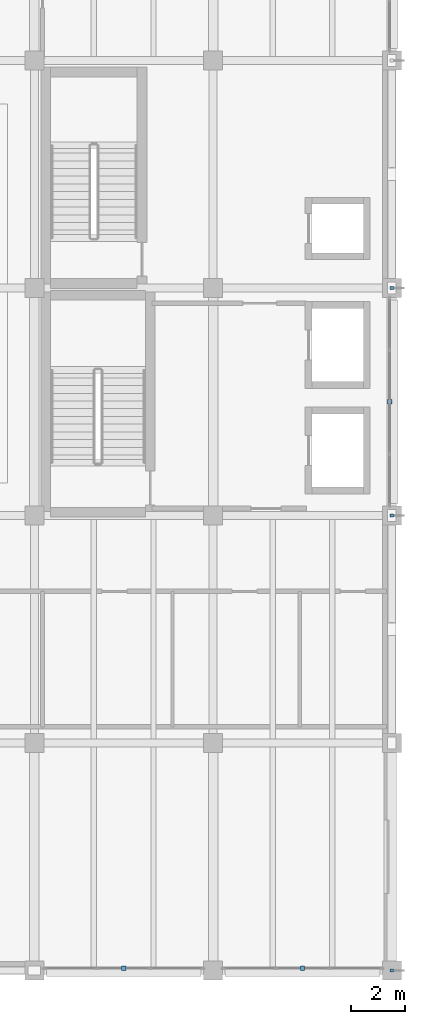
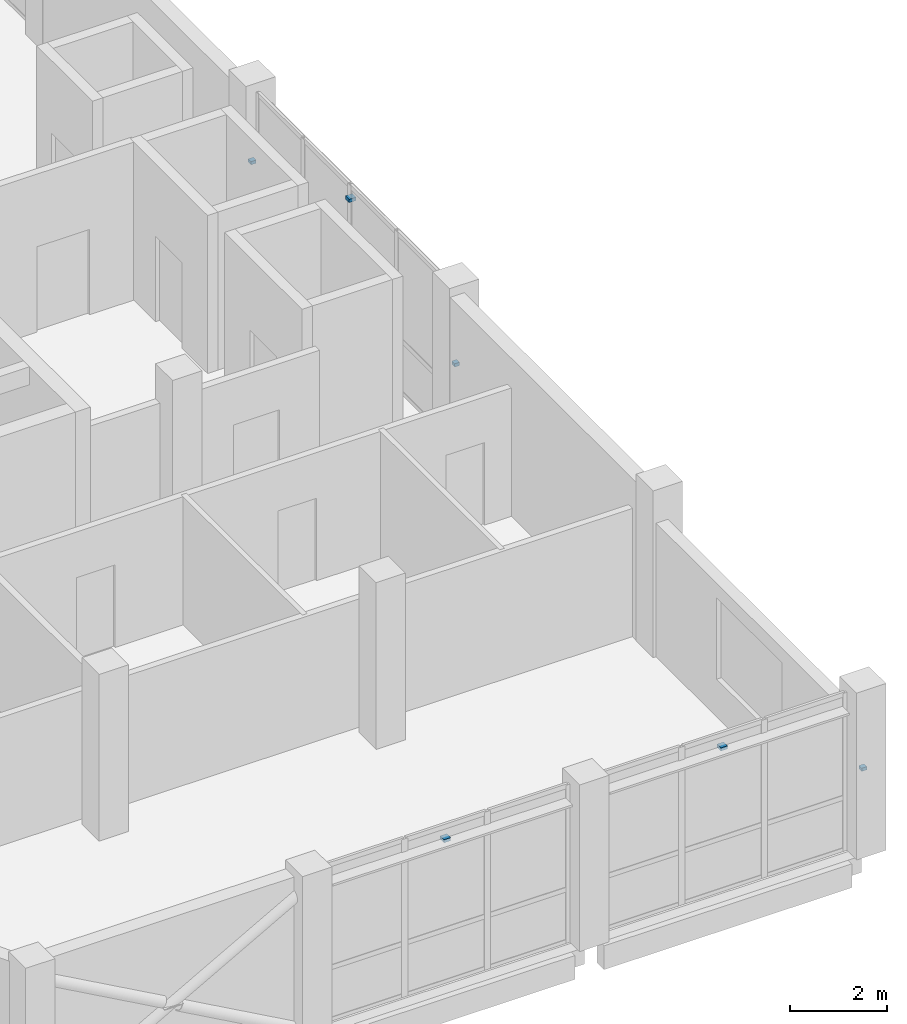
# One storey, part 15 of 19: 6 discrete accessories.
"""IFC4 building model written with IfcOpenShell, lengths in metres."""

from ifc_helpers import new_model, si_unit, direction, frame, origin, origin_2d, place, context, subcontext, project, spatial, rectangle, extrude, material, layer, layer_set, type_object, element, save


model = new_model("IFC4")

# Units and contexts
model_context = context("Model", 3, precision=1e-05, world=origin(), true_north=direction((0.0, 1.0)))
body_context = subcontext(model_context, "Body", "Model", "MODEL_VIEW")
ifc_project = project(units=[si_unit("LENGTHUNIT", "METRE"), si_unit("AREAUNIT", "SQUARE_METRE"), si_unit("VOLUMEUNIT", "CUBIC_METRE"), si_unit("PLANEANGLEUNIT", "RADIAN"), si_unit("MASSUNIT", "GRAM", prefix="KILO")], contexts=[model_context])

# Site, building, storey
site_placement = place(None, origin())
site = spatial("IfcSite", under=ifc_project, at=site_placement, CompositionType="ELEMENT")
building_placement = place(site_placement, origin())
building = spatial("IfcBuilding", under=site, at=building_placement, Name="Qaldarim Faculty of Natural and Applied Sciences", CompositionType="ELEMENT")
storey_placement = place(building_placement, frame((0.0, 0.0, 27.0)))
storey = spatial("IfcBuildingStorey", under=building, at=storey_placement, Name="L06", CompositionType="ELEMENT", Elevation=27.0)

# Discrete accessories
ifc_material = material(Name="Architectural stainless steel 316", Category="steel")
ifc_layer = layer(ifc_material, 0.080078125)
ifc_layer_set = layer_set([ifc_layer], Name="Architectural stainless steel 316")
discrete_accessory_type = type_object("IfcDiscreteAccessoryType", Name="FacadeBracket-SS120", PredefinedType="BRACKET", material=ifc_layer_set)
for number, where, z_axis, x_axis, name in (
    (1, (168.300048828125, 0.080078125, 3.58984375), (0.0, 0.0, 1.0), (1.0, 0.0, 0.0), "Solar louvre support bracket SHD-L06-S-X26Y01"),
    (2, (174.89990234375, 0.080078125, 3.58984375), (0.0, 0.0, 1.0), (1.0, 0.0, 0.0), "Solar louvre support bracket SHD-L06-S-X27Y01"),
    (3, (178.1201171875, 21.0, 3.58984375), (0.0, 0.0, 1.0), (0.0, 1.0, 0.0), "Solar louvre support bracket SHD-L06-E-X27Y03"),
):
    element("IfcDiscreteAccessory", number, at=place(storey_placement, frame(where, z_axis=z_axis, x_axis=x_axis)), inside=storey, type_object=discrete_accessory_type, Name=name, PredefinedType="BRACKET", context=body_context, shape_type="SweptSolid", body=[
        extrude(rectangle(XDim=0.159912109375, YDim=0.159912109375, at=origin_2d()), origin(), (0.0, 0.0, 1.0), 0.080078125),
    ])
for number, where, z_axis, x_axis, name in (
    (4, (178.199951171875, 0.0, 1.949951171875), (0.0, 0.0, 1.0), (1.0, 0.0, 0.0), "Tower fin bracket FIN-V5E-L06-Y01"),
    (5, (178.199951171875, 16.800048828125, 1.949951171875), (0.0, 0.0, 1.0), (1.0, 0.0, 0.0), "Tower fin bracket FIN-V5E-L06-Y03"),
    (6, (178.199951171875, 25.199951171875, 1.949951171875), (0.0, 0.0, 1.0), (1.0, 0.0, 0.0), "Tower fin bracket FIN-V5E-L06-Y04"),
):
    element("IfcDiscreteAccessory", number, at=place(storey_placement, frame(where, z_axis=z_axis, x_axis=x_axis)), inside=storey, type_object=discrete_accessory_type, Name=name, PredefinedType="BRACKET", context=body_context, shape_type="SweptSolid", body=[
        extrude(rectangle(XDim=0.1201171875, YDim=0.1201171875, at=origin_2d()), origin(), (0.0, 0.0, 1.0), 0.080078125),
    ])

save(model, "model.ifc")
